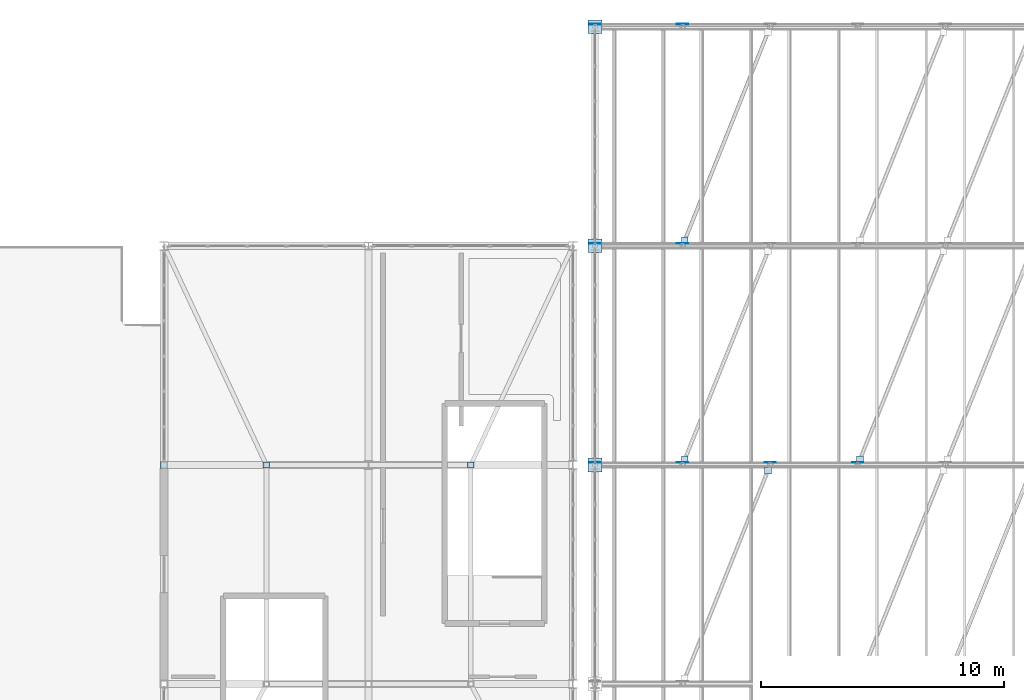
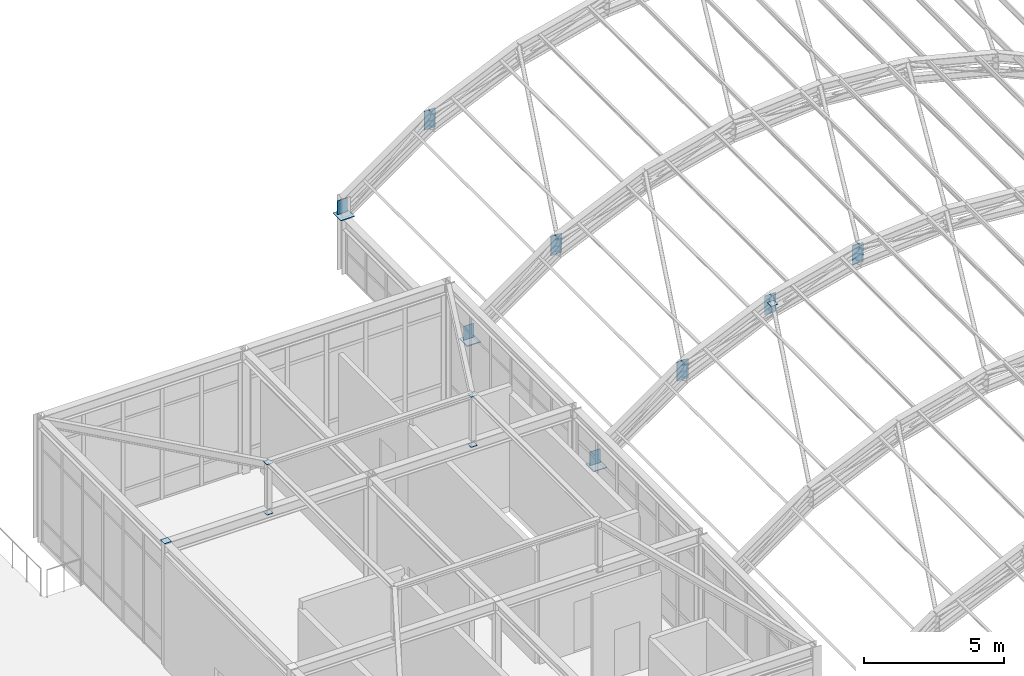
# One storey, part 113 of 121: 20 plates.
"""IFC4 building model written with IfcOpenShell, lengths in metres."""

from ifc_helpers import new_model, si_unit, direction, frame, origin, origin_2d, place, context, subcontext, project, spatial, rectangle, extrude, material, layer, layer_set, type_object, element, save


model = new_model("IFC4")

# Units and contexts
model_context = context("Model", 3, precision=1e-05, world=origin(), true_north=direction((0.0, 1.0)))
body_context = subcontext(model_context, "Body", "Model", "MODEL_VIEW")
ifc_project = project(units=[si_unit("LENGTHUNIT", "METRE"), si_unit("AREAUNIT", "SQUARE_METRE"), si_unit("VOLUMEUNIT", "CUBIC_METRE"), si_unit("PLANEANGLEUNIT", "RADIAN"), si_unit("MASSUNIT", "GRAM", prefix="KILO")], contexts=[model_context])

# Site, building, storey
site_placement = place(None, origin())
site = spatial("IfcSite", under=ifc_project, at=site_placement, CompositionType="ELEMENT")
building_placement = place(site_placement, origin())
building = spatial("IfcBuilding", under=site, at=building_placement, Name="Canglan Escarpment Cableway Terminal", CompositionType="ELEMENT")
storey_placement = place(building_placement, frame((0.0, 0.0, 24.60009765625)))
storey = spatial("IfcBuildingStorey", under=building, at=storey_placement, Name="L05", CompositionType="ELEMENT", Elevation=24.60009765625)

# Plates
ifc_material = material(Name="Steel Q355B", Category="steel")
ifc_layer_1 = layer(ifc_material, 0.031982421875, Name="Steel Q355B")
ifc_layer_set_1 = layer_set([ifc_layer_1], Name="Steel Q355B")
plate_type_1 = type_object("IfcPlateType", Name="PLT-BASE-32", PredefinedType="USERDEFINED", material=ifc_layer_set_1)
for number, where, z_axis, x_axis, name in (
    (1, (137.60009765625, 106.0, 2.4326171875), (0.0, 0.0, 1.0), (1.0, 0.0, 0.0), "Arch springing base plate BP-01"),
    (2, (137.60009765625, 115.0, 2.4326171875), (0.0, 0.0, 1.0), (1.0, 0.0, 0.0), "Arch springing base plate BP-01"),
    (3, (137.60009765625, 124.0, 2.4326171875), (0.0, 0.0, 1.0), (1.0, 0.0, 0.0), "Arch springing base plate BP-01"),
):
    element("IfcPlate", number, at=place(storey_placement, frame(where, z_axis=z_axis, x_axis=x_axis)), inside=storey, type_object=plate_type_1, Name=name, ObjectType="BASE PLATE", PredefinedType="USERDEFINED", context=body_context, shape_type="SweptSolid", body=[
        extrude(rectangle(XDim=0.56005859375, YDim=0.56005859375, at=origin_2d()), origin(), (0.0, 0.0, 1.0), 0.031982421875),
    ])
ifc_layer_2 = layer(ifc_material, 0.01611328125, Name="Steel Q355B")
ifc_layer_set_2 = layer_set([ifc_layer_2], Name="Steel Q355B")
plate_type_2 = type_object("IfcPlateType", Name="PLT-CAP-16", PredefinedType="SHEET", material=ifc_layer_set_2)
plate_1_placement = place(storey_placement, frame((119.89990234375, 106.0, 5.375732421875), z_axis=(0.0, 0.0, 1.0), x_axis=(1.0, 0.0, 0.0)))
element("IfcPlate", 4, at=plate_1_placement, inside=storey, type_object=plate_type_2, Name="Welded hollow column end cap plate CP-01", PredefinedType="SHEET", context=body_context, shape_type="SweptSolid", body=[
    extrude(rectangle(XDim=0.2900390625, YDim=0.2900390625, at=origin_2d()), origin(), (0.0, 0.0, 1.0), 0.01611328125),
])
ifc_layer_3 = layer(ifc_material, 0.01611328125, Name="Steel Q355B")
ifc_layer_set_3 = layer_set([ifc_layer_3], Name="Steel Q355B")
plate_type_3 = type_object("IfcPlateType", Name="PLT-GUSSET-16", PredefinedType="USERDEFINED", material=ifc_layer_set_3)
for number, where, z_axis, x_axis, name in (
    (5, (144.7109375, 105.777099609375, 7.140380859375), (0.0, 0.0, 1.0), (1.0, 0.0, 0.0), "Roof wind brace end gusset plate GP-03"),
    (6, (141.2890625, 106.222900390625, 5.5185546875), (0.0, 0.0, 1.0), (1.0, 0.0, 0.0), "Roof wind brace end gusset plate GP-03"),
    (7, (148.489013671875, 106.222900390625, 8.055419921875), (0.0, 0.0, 1.0), (1.0, 0.0, 0.0), "Roof wind brace end gusset plate GP-03"),
    (8, (141.2890625, 115.222900390625, 5.5185546875), (0.0, 0.0, 1.0), (1.0, 0.0, 0.0), "Roof wind brace end gusset plate GP-03"),
):
    element("IfcPlate", number, at=place(storey_placement, frame(where, z_axis=z_axis, x_axis=x_axis)), inside=storey, type_object=plate_type_3, Name=name, ObjectType="GUSSET PLATE", PredefinedType="USERDEFINED", context=body_context, shape_type="SweptSolid", body=[
        extrude(rectangle(XDim=0.280029296875, YDim=0.280029296875, at=origin_2d()), origin(), (0.0, 0.0, 1.0), 0.01611328125),
    ])
for number, where, z_axis, x_axis, name in (
    (9, (132.5, 106.0, 5.139892578125), (0.0, 0.0, 1.0), (1.0, 0.0, 0.0), "Lantern post end connection plate GP-03"),
    (10, (132.5, 106.0, 7.32373046875), (0.0, 0.0, 1.0), (1.0, 0.0, 0.0), "Lantern post end connection plate GP-03"),
    (11, (124.10009765625, 106.0, 5.139892578125), (0.0, 0.0, 1.0), (1.0, 0.0, 0.0), "Lantern post end connection plate GP-03"),
    (12, (124.10009765625, 106.0, 7.32373046875), (0.0, 0.0, 1.0), (1.0, 0.0, 0.0), "Lantern post end connection plate GP-03"),
):
    element("IfcPlate", number, at=place(storey_placement, frame(where, z_axis=z_axis, x_axis=x_axis)), inside=storey, type_object=plate_type_3, Name=name, ObjectType="GUSSET PLATE", PredefinedType="USERDEFINED", context=body_context, shape_type="SweptSolid", body=[
        extrude(rectangle(XDim=0.260009765625, YDim=0.260009765625, at=origin_2d()), origin(), (0.0, 0.0, 1.0), 0.01611328125),
    ])
ifc_layer_4 = layer(ifc_material, 0.02392578125, Name="Steel Q355B")
ifc_layer_set_4 = layer_set([ifc_layer_4], Name="Steel Q355B")
plate_type_4 = type_object("IfcPlateType", Name="PLT-GUSSET-24", PredefinedType="USERDEFINED", material=ifc_layer_set_4)
for number, where, z_axis, x_axis, name in (
    (13, (141.199951171875, 106.10498046875, 4.87646484375), (0.0, 0.0, 1.0), (1.0, 0.0, 0.0), "Arch-truss node gusset plate GP-01"),
    (14, (144.800048828125, 106.10498046875, 6.498291015625), (0.0, 0.0, 1.0), (1.0, 0.0, 0.0), "Arch-truss node gusset plate GP-01"),
    (15, (148.39990234375, 106.10498046875, 7.413330078125), (0.0, 0.0, 1.0), (1.0, 0.0, 0.0), "Arch-truss node gusset plate GP-01"),
):
    element("IfcPlate", number, at=place(storey_placement, frame(where, z_axis=z_axis, x_axis=x_axis)), inside=storey, type_object=plate_type_4, Name=name, ObjectType="GUSSET PLATE", PredefinedType="USERDEFINED", context=body_context, shape_type="SweptSolid", body=[
        extrude(rectangle(XDim=0.4599609375, YDim=0.02392578125, at=origin_2d()), origin(), (0.0, 0.0, 1.0), 0.830078125),
    ])
plate_2_placement = place(storey_placement, frame((137.60009765625, 106.10498046875, 2.4521484375), z_axis=(0.0, 0.0, 1.0), x_axis=(1.0, 0.0, 0.0)))
element("IfcPlate", 16, at=plate_2_placement, inside=storey, type_object=plate_type_4, Name="Arch-truss springing gusset plate GP-01", ObjectType="GUSSET PLATE", PredefinedType="USERDEFINED", context=body_context, shape_type="SweptSolid", body=[
    extrude(rectangle(XDim=0.419921875, YDim=0.02392578125, at=origin_2d()), origin(), (0.0, 0.0, 1.0), 0.610107421875),
])
plate_3_placement = place(storey_placement, frame((141.199951171875, 115.10498046875, 4.87646484375), z_axis=(0.0, 0.0, 1.0), x_axis=(1.0, 0.0, 0.0)))
element("IfcPlate", 17, at=plate_3_placement, inside=storey, type_object=plate_type_4, Name="Arch-truss node gusset plate GP-01", ObjectType="GUSSET PLATE", PredefinedType="USERDEFINED", context=body_context, shape_type="SweptSolid", body=[
    extrude(rectangle(XDim=0.4599609375, YDim=0.02392578125, at=origin_2d()), origin(), (0.0, 0.0, 1.0), 0.830078125),
])
plate_4_placement = place(storey_placement, frame((137.60009765625, 115.10498046875, 2.4521484375), z_axis=(0.0, 0.0, 1.0), x_axis=(1.0, 0.0, 0.0)))
element("IfcPlate", 18, at=plate_4_placement, inside=storey, type_object=plate_type_4, Name="Arch-truss springing gusset plate GP-01", ObjectType="GUSSET PLATE", PredefinedType="USERDEFINED", context=body_context, shape_type="SweptSolid", body=[
    extrude(rectangle(XDim=0.419921875, YDim=0.02392578125, at=origin_2d()), origin(), (0.0, 0.0, 1.0), 0.610107421875),
])
plate_5_placement = place(storey_placement, frame((141.199951171875, 124.10498046875, 4.87646484375), z_axis=(0.0, 0.0, 1.0), x_axis=(1.0, 0.0, 0.0)))
element("IfcPlate", 19, at=plate_5_placement, inside=storey, type_object=plate_type_4, Name="Arch-truss node gusset plate GP-01", ObjectType="GUSSET PLATE", PredefinedType="USERDEFINED", context=body_context, shape_type="SweptSolid", body=[
    extrude(rectangle(XDim=0.4599609375, YDim=0.02392578125, at=origin_2d()), origin(), (0.0, 0.0, 1.0), 0.830078125),
])
plate_6_placement = place(storey_placement, frame((137.60009765625, 124.10498046875, 2.4521484375), z_axis=(0.0, 0.0, 1.0), x_axis=(1.0, 0.0, 0.0)))
element("IfcPlate", 20, at=plate_6_placement, inside=storey, type_object=plate_type_4, Name="Arch-truss springing gusset plate GP-01", ObjectType="GUSSET PLATE", PredefinedType="USERDEFINED", context=body_context, shape_type="SweptSolid", body=[
    extrude(rectangle(XDim=0.419921875, YDim=0.02392578125, at=origin_2d()), origin(), (0.0, 0.0, 1.0), 0.610107421875),
])

save(model, "model.ifc")
